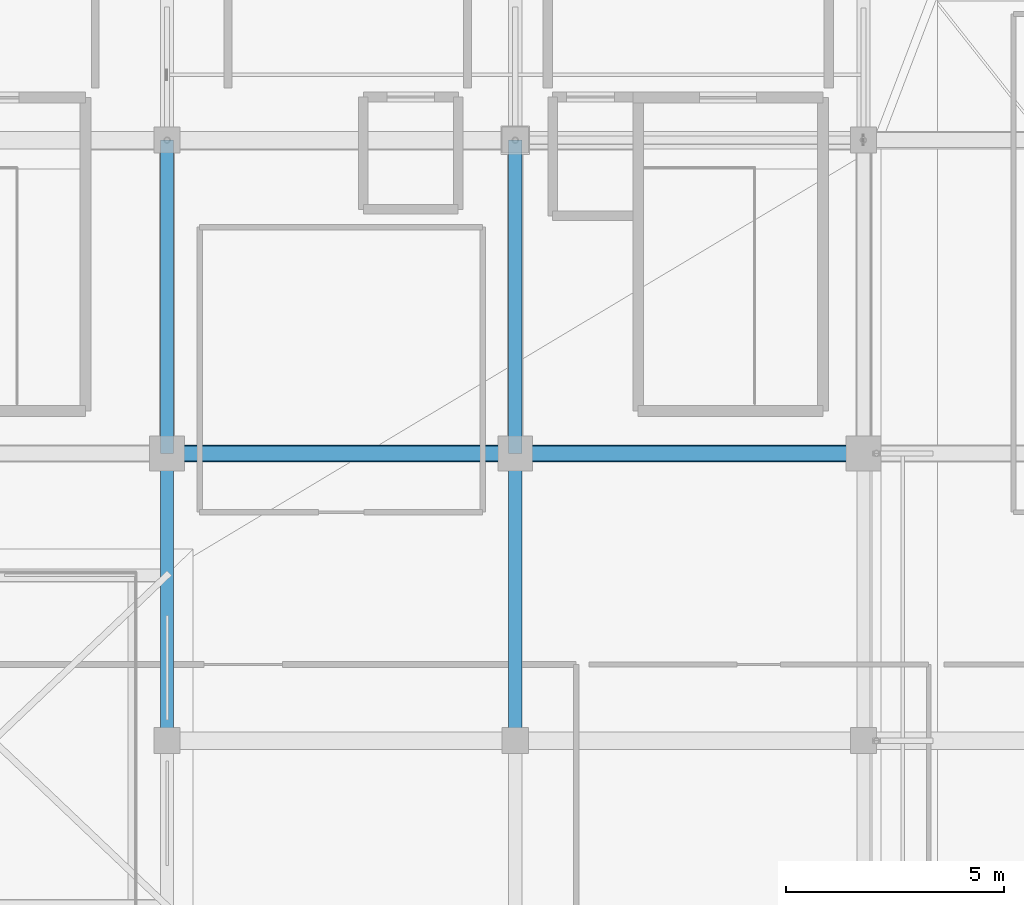
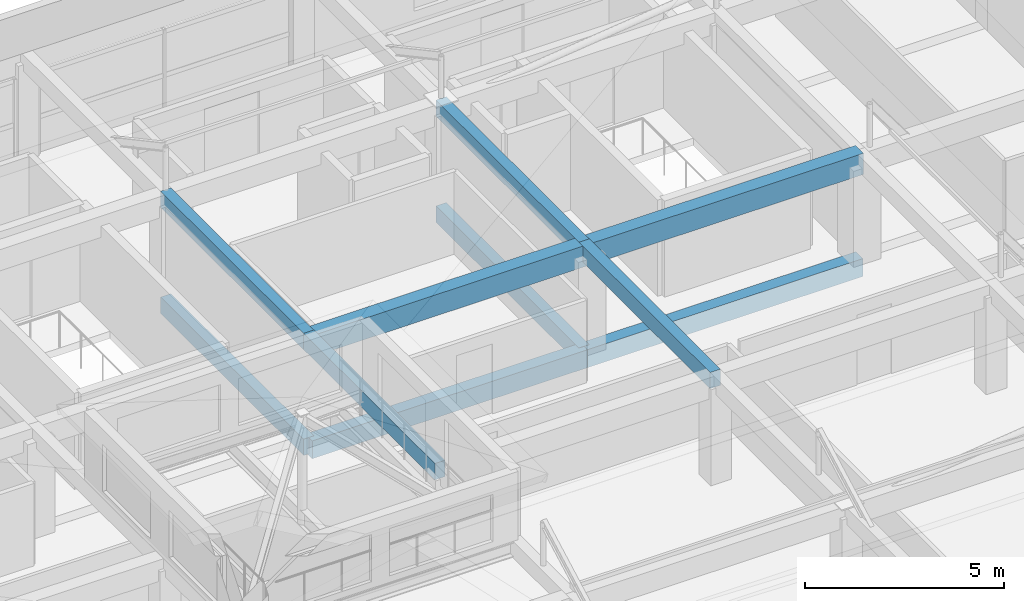
# One storey, part 16 of 39: 10 beams.
"""IFC4 building model written with IfcOpenShell, lengths in metres."""

from ifc_helpers import new_model, si_unit, direction, frame, origin, origin_2d, place, context, subcontext, project, spatial, rectangle, extrude, material, material_profile, profile_set, type_object, element, save


model = new_model("IFC4")

# Units and contexts
model_context = context("Model", 3, precision=1e-05, world=origin(), true_north=direction((0.0, 1.0)))
body_context = subcontext(model_context, "Body", "Model", "MODEL_VIEW")
ifc_project = project(units=[si_unit("LENGTHUNIT", "METRE"), si_unit("AREAUNIT", "SQUARE_METRE"), si_unit("VOLUMEUNIT", "CUBIC_METRE"), si_unit("PLANEANGLEUNIT", "RADIAN"), si_unit("MASSUNIT", "GRAM", prefix="KILO")], contexts=[model_context])

# Site, building, storey
site_placement = place(None, origin())
site = spatial("IfcSite", under=ifc_project, at=site_placement, CompositionType="ELEMENT")
building_placement = place(site_placement, origin())
building = spatial("IfcBuilding", under=site, at=building_placement, Name="Akrevak Sports Hall", CompositionType="ELEMENT")
storey_placement = place(building_placement, frame((0.0, 0.0, 66.550048828125)))
storey = spatial("IfcBuildingStorey", under=building, at=storey_placement, Name="L17", CompositionType="ELEMENT", Elevation=66.550048828125)

# Beams
ifc_material = material(Name="Concrete C40/50", Category="concrete")
ifc_material_profile_1 = material_profile(ifc_material, rectangle(XDim=0.300048828125, YDim=0.5, at=origin_2d()), Name="BM 300x500", Category="concrete")
ifc_profile_set_1 = profile_set([ifc_material_profile_1], Name="Concrete C40/50")
beam_type_1 = type_object("IfcBeamType", Name="STR-BM-RC300x500", PredefinedType="BEAM", material=ifc_profile_set_1)
for number, where, z_axis, x_axis, name in (
    (1, (84.0, 55.199951171875, -0.25), (0.0, 1.0, 0.0), (-1.0, 0.0, 0.0), "Girder 12/I-J (L17)"),
    (2, (92.0, 55.199951171875, -0.25), (0.0, 1.0, 0.0), (-1.0, 0.0, 0.0), "Girder 13/I-J (L17)"),
):
    element("IfcBeam", number, at=place(storey_placement, frame(where, z_axis=z_axis, x_axis=x_axis)), inside=storey, type_object=beam_type_1, Name=name, PredefinedType="BEAM", context=body_context, shape_type="SweptSolid", body=[
        extrude(rectangle(XDim=0.300048828125, YDim=0.5, at=origin_2d()), origin(), (0.0, 0.0, 1.0), 7.199951171875),
    ])
beam_1_placement = place(storey_placement, frame((84.0, 48.60009765625, 3.0), z_axis=(0.0, 1.0, 0.0), x_axis=(-1.0, 0.0, 0.0)))
element("IfcBeam", 3, at=beam_1_placement, inside=storey, type_object=beam_type_1, Name="Girder 12/H-I (ROOF)", PredefinedType="BEAM", context=body_context, shape_type="SweptSolid", body=[
    extrude(rectangle(XDim=0.300048828125, YDim=0.5, at=origin_2d()), origin(), (0.0, 0.0, 1.0), 6.599853515625),
])
beam_2_placement = place(storey_placement, frame((84.0, 55.199951171875, 3.0), z_axis=(0.0, 1.0, 0.0), x_axis=(-1.0, 0.0, 0.0)))
element("IfcBeam", 4, at=beam_2_placement, inside=storey, type_object=beam_type_1, Name="Girder 12/I-J (ROOF)", PredefinedType="BEAM", context=body_context, shape_type="SweptSolid", body=[
    extrude(rectangle(XDim=0.300048828125, YDim=0.5, at=origin_2d()), origin(), (0.0, 0.0, 1.0), 7.199951171875),
])
beam_3_placement = place(storey_placement, frame((92.0, 48.60009765625, 3.0), z_axis=(0.0, 1.0, 0.0), x_axis=(-1.0, 0.0, 0.0)))
element("IfcBeam", 5, at=beam_3_placement, inside=storey, type_object=beam_type_1, Name="Girder 13/H-I (ROOF)", PredefinedType="BEAM", context=body_context, shape_type="SweptSolid", body=[
    extrude(rectangle(XDim=0.300048828125, YDim=0.5, at=origin_2d()), origin(), (0.0, 0.0, 1.0), 6.599853515625),
])
beam_4_placement = place(storey_placement, frame((92.0, 55.199951171875, 3.0), z_axis=(0.0, 1.0, 0.0), x_axis=(-1.0, 0.0, 0.0)))
element("IfcBeam", 6, at=beam_4_placement, inside=storey, type_object=beam_type_1, Name="Girder 13/I-J (ROOF)", PredefinedType="BEAM", context=body_context, shape_type="SweptSolid", body=[
    extrude(rectangle(XDim=0.300048828125, YDim=0.5, at=origin_2d()), origin(), (0.0, 0.0, 1.0), 7.199951171875),
])
ifc_material_profile_2 = material_profile(ifc_material, rectangle(XDim=0.35009765625, YDim=0.550048828125, at=origin_2d()), Name="BM 350x550", Category="concrete")
ifc_profile_set_2 = profile_set([ifc_material_profile_2], Name="Concrete C40/50")
beam_type_2 = type_object("IfcBeamType", Name="STR-BM-RC350x550", PredefinedType="BEAM", material=ifc_profile_set_2)
for number, where, z_axis, x_axis, name in (
    (7, (84.0, 55.199951171875, -0.275146484375), (1.0, 0.0, 0.0), (0.0, 1.0, 0.0), "Girder I/12-13 (L17)"),
    (8, (92.0, 55.199951171875, -0.275146484375), (1.0, 0.0, 0.0), (0.0, 1.0, 0.0), "Girder I/13-14 (L17)"),
):
    element("IfcBeam", number, at=place(storey_placement, frame(where, z_axis=z_axis, x_axis=x_axis)), inside=storey, type_object=beam_type_2, Name=name, PredefinedType="BEAM", context=body_context, shape_type="SweptSolid", body=[
        extrude(rectangle(XDim=0.35009765625, YDim=0.550048828125, at=origin_2d()), origin(), (0.0, 0.0, 1.0), 8.0),
    ])
ifc_material_profile_3 = material_profile(ifc_material, rectangle(XDim=0.39990234375, YDim=0.64990234375, at=origin_2d()), Name="BM 400x650", Category="concrete")
ifc_profile_set_3 = profile_set([ifc_material_profile_3], Name="Concrete C40/50")
beam_type_3 = type_object("IfcBeamType", Name="STR-BM-RC400x650", PredefinedType="BEAM", material=ifc_profile_set_3)
for number, where, z_axis, x_axis, name in (
    (9, (84.0, 55.199951171875, 2.925048828125), (1.0, 0.0, 0.0), (0.0, 1.0, 0.0), "Girder I/12-13 (ROOF)"),
    (10, (92.0, 55.199951171875, 2.925048828125), (1.0, 0.0, 0.0), (0.0, 1.0, 0.0), "Girder I/13-14 (ROOF)"),
):
    element("IfcBeam", number, at=place(storey_placement, frame(where, z_axis=z_axis, x_axis=x_axis)), inside=storey, type_object=beam_type_3, Name=name, PredefinedType="BEAM", context=body_context, shape_type="SweptSolid", body=[
        extrude(rectangle(XDim=0.39990234375, YDim=0.64990234375, at=origin_2d()), origin(), (0.0, 0.0, 1.0), 8.0),
    ])

save(model, "model.ifc")
